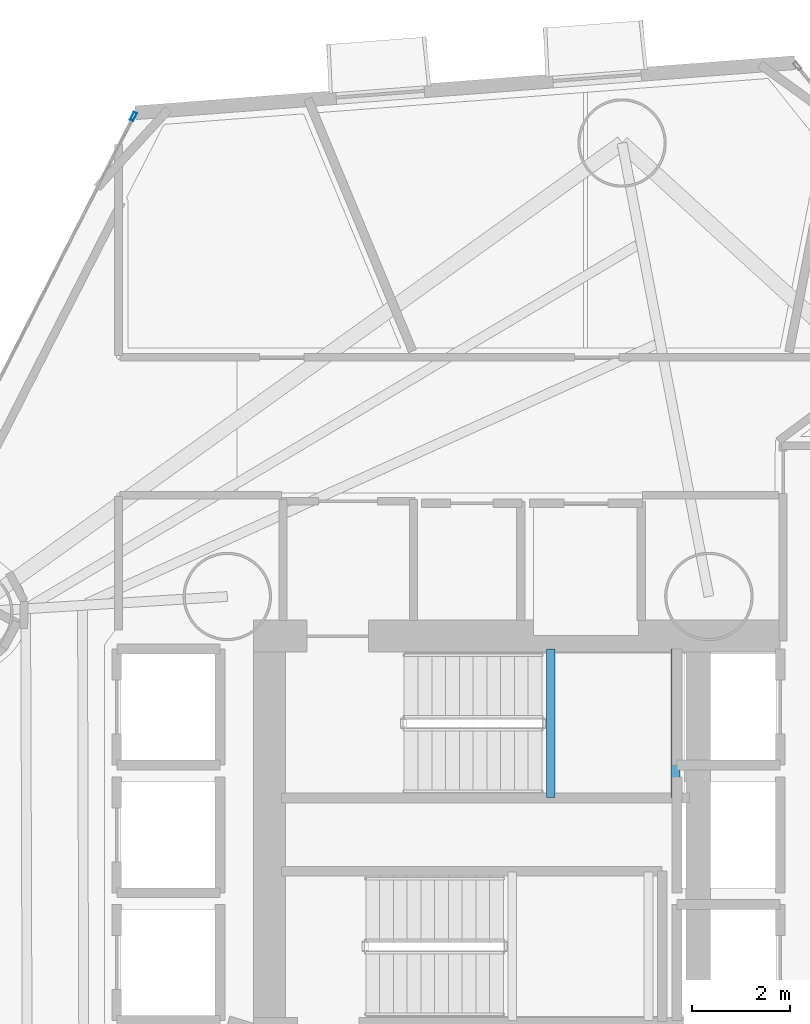
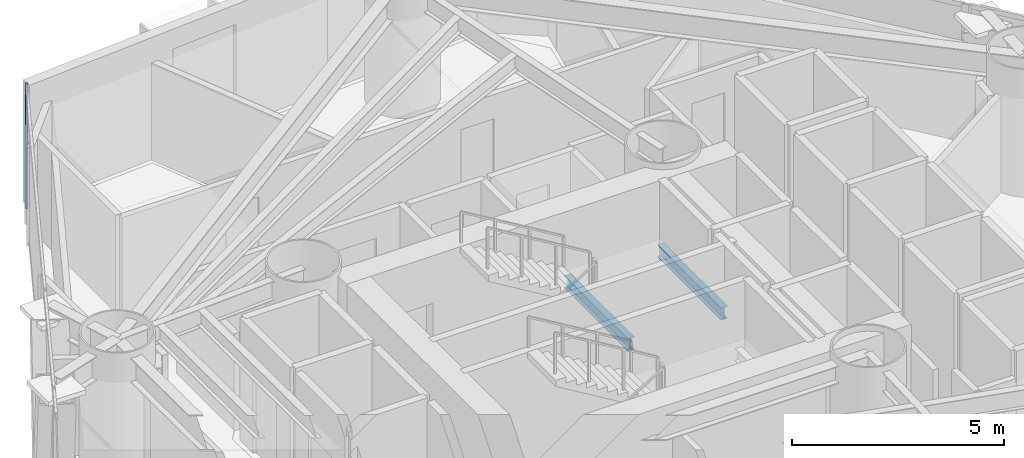
# One storey, part 9 of 23: 2 beams, 1 member, 1 element without a shape of its own.
"""IFC4 building model written with IfcOpenShell, lengths in metres."""

import ifcopenshell
import ifcopenshell.guid

model = None  # the IFC model being written
_history = None  # IfcOwnerHistory: only IFC2X3 demands one
_inside = {}  # id of a spatial element -> (the spatial element, [elements in it])
_under = {}  # id of a project, library or spatial element -> (it, [spatial elements below it])
_declared = {}  # id of a project -> (the project, [libraries it declares])
_typed = {}  # id of a type object -> (the type object, [elements of that type])
_made_of = {}  # id of a material, layer set ... -> (it, [elements and type objects made of it])


def new_model(schema):
    """Start an empty IFC model of exactly this schema.

    Asked for "IFC4X3", IfcOpenShell would pick the latest addendum, in which some entities
    have other attributes; the version numbers below select the first issue.
    IFC2X3 requires an IfcOwnerHistory on every rooted entity: one is made here for all.
    """
    global model, _history
    if schema == "IFC4X3":
        model = ifcopenshell.file(schema_version=(4, 3, 0, 0))
    else:
        model = ifcopenshell.file(schema=schema)
    _inside.clear()
    _under.clear()
    _declared.clear()
    _typed.clear()
    _made_of.clear()
    _history = None
    if model.schema == "IFC2X3":
        org = make("IfcOrganization", Name="unknown")
        user = make(
            "IfcPersonAndOrganization",
            ThePerson=make("IfcPerson", FamilyName="unknown"),
            TheOrganization=org,
        )
        app = make(
            "IfcApplication",
            ApplicationDeveloper=org,
            Version="unknown",
            ApplicationFullName="unknown",
            ApplicationIdentifier="unknown",
        )
        _history = make(
            "IfcOwnerHistory",
            OwningUser=user,
            OwningApplication=app,
            ChangeAction="ADDED",
            CreationDate=0,
        )
    return model


def make(cls, **values):
    """One entity of the class cls with the attributes given. An attribute that is None is left unset."""
    return model.create_entity(
        cls, **{name: value for name, value in values.items() if value is not None}
    )


def rooted(cls, **values):
    """An entity with a GlobalId (a new one), such as an element, a storey or a relation."""
    return make(cls, GlobalId=ifcopenshell.guid.new(), OwnerHistory=_history, **values)


def si_unit(unit_type, name, prefix=None):
    """IfcSIUnit, for example si_unit("LENGTHUNIT", "METRE", prefix="MILLI")."""
    return make("IfcSIUnit", UnitType=unit_type, Prefix=prefix, Name=name)


def assignment(units):
    """IfcUnitAssignment: the units of a project."""
    return None if units is None else make("IfcUnitAssignment", Units=units)


def point(xyz):
    """IfcCartesianPoint."""
    return None if xyz is None else make("IfcCartesianPoint", Coordinates=xyz)


def direction(xyz):
    """IfcDirection."""
    return None if xyz is None else make("IfcDirection", DirectionRatios=xyz)


def frame(location, z_axis=None, x_axis=None):
    """IfcAxis2Placement3D, a coordinate frame: its origin and axes. An axis left out is left unset."""
    return make(
        "IfcAxis2Placement3D",
        Location=point(location),
        Axis=direction(z_axis),
        RefDirection=direction(x_axis),
    )


def frame_2d(location, x_axis=None):
    """IfcAxis2Placement2D, a coordinate frame in the plane: its origin and x axis."""
    return make(
        "IfcAxis2Placement2D", Location=point(location), RefDirection=direction(x_axis)
    )


def origin():
    """The frame at (0, 0, 0) with its axes left unset."""
    return frame((0.0, 0.0, 0.0))


def origin_2d():
    """The frame at (0, 0) in the plane with its x axis left unset."""
    return frame_2d((0.0, 0.0))


def place(relative_to, where):
    """IfcLocalPlacement: puts the frame where relative to a parent placement (None: the world)."""
    return make(
        "IfcLocalPlacement", PlacementRelTo=relative_to, RelativePlacement=where
    )


def context(
    kind, dimensions, precision=None, world=None, true_north=None, identifier=None
):
    """IfcGeometricRepresentationContext, for example the 3D "Model" context."""
    return make(
        "IfcGeometricRepresentationContext",
        ContextIdentifier=identifier,
        ContextType=kind,
        CoordinateSpaceDimension=dimensions,
        Precision=precision,
        WorldCoordinateSystem=world,
        TrueNorth=true_north,
    )


def subcontext(parent, identifier, kind, view, scale=None):
    """IfcGeometricRepresentationSubContext, for example "Body" below "Model"."""
    return make(
        "IfcGeometricRepresentationSubContext",
        ContextIdentifier=identifier,
        ContextType=kind,
        ParentContext=parent,
        TargetScale=scale,
        TargetView=view,
    )


def project(units=None, contexts=None):
    """IfcProject with its units and contexts."""
    return rooted(
        "IfcProject",
        Name="project",
        RepresentationContexts=contexts,
        UnitsInContext=assignment(units),
    )


def spatial(cls, under=None, at=None, **own):
    """A site, building, storey or space (cls), placed at a placement, below another one or the project."""
    s = rooted(cls, ObjectPlacement=at, **own)
    if under is not None:
        _under.setdefault(under.id(), (under, []))[1].append(s)
    return s


def profile(cls, at=None, kind="AREA", **sizes):
    """A parametric profile (cls). Its sizes go by their IFC names, for example OverallWidth=200.0."""
    return make(cls, ProfileType=kind, Position=at, **sizes)


def hollow_rectangle(**sizes):
    """IfcRectangleHollowProfileDef."""
    return profile("IfcRectangleHollowProfileDef", **sizes)


def i_section(**sizes):
    """IfcIShapeProfileDef."""
    return profile("IfcIShapeProfileDef", **sizes)


def extrude(swept, where, along, depth):
    """IfcExtrudedAreaSolid: the profile swept, set in the frame where, extruded along a direction by depth."""
    return make(
        "IfcExtrudedAreaSolid",
        SweptArea=swept,
        Position=where,
        ExtrudedDirection=direction(along),
        Depth=depth,
    )


def shape(context_of_items, identifier, shape_type, items):
    """IfcShapeRepresentation: the items that make up one representation, for example the "Body"."""
    return make(
        "IfcShapeRepresentation",
        ContextOfItems=context_of_items,
        RepresentationIdentifier=identifier,
        RepresentationType=shape_type,
        Items=items,
    )


def material(Name=None, Category=None):
    """IfcMaterial."""
    return make("IfcMaterial", Name=Name, Category=Category)


def layer(
    of_material, thickness, ventilated=None, Name=None, Category=None, Priority=None
):
    """IfcMaterialLayer: one layer of a wall or slab, of a material (None: an air gap)."""
    return make(
        "IfcMaterialLayer",
        Material=of_material,
        LayerThickness=thickness,
        IsVentilated=ventilated,
        Name=Name,
        Category=Category,
        Priority=Priority,
    )


def layer_set(layers, Name=None):
    """IfcMaterialLayerSet."""
    return make("IfcMaterialLayerSet", MaterialLayers=layers, LayerSetName=Name)


def material_profile(
    of_material, cross_section, Name=None, Category=None, Priority=None
):
    """IfcMaterialProfile: a cross section and its material."""
    return make(
        "IfcMaterialProfile",
        Name=Name,
        Material=of_material,
        Profile=cross_section,
        Priority=Priority,
        Category=Category,
    )


def profile_set(profiles, Name=None, composite=None):
    """IfcMaterialProfileSet."""
    return make(
        "IfcMaterialProfileSet",
        Name=Name,
        MaterialProfiles=profiles,
        CompositeProfile=composite,
    )


def made_of(thing, what):
    """Note that an element or type object is made of a material, layer set ...; save() writes the relation."""
    if what is not None:
        _made_of.setdefault(what.id(), (what, []))[1].append(thing)
    return thing


def type_object(cls, material=None, **own):
    """A type object (cls), such as IfcWallType, which elements share."""
    return made_of(rooted(cls, **own), material)


def element(
    cls,
    number,
    at=None,
    inside=None,
    cuts=None,
    type_object=None,
    material=None,
    context=None,
    identifier="Body",
    shape_type=None,
    held_by="IfcProductDefinitionShape",
    body=None,
    shapes=None,
    **own,
):
    """One element of the class cls, such as IfcWall. Its Tag is "e" and its number.

    at: its placement. inside: the storey or other place that contains it. cuts: it is an
    opening in that element (IfcRelVoidsElement). A single representation is given by context,
    identifier, shape_type and body (its items); several are given by shapes. held_by: the class
    of the entity that holds the representations. save() writes the other relations.
    """
    e = rooted(cls, Tag="e%d" % number, ObjectPlacement=at, **own)
    if body is not None:
        shapes = [shape(context, identifier, shape_type, body)]
    if shapes is not None:
        e.Representation = make(held_by, Representations=shapes)
    if inside is not None:
        _inside.setdefault(inside.id(), (inside, []))[1].append(e)
    if cuts is not None:
        rooted(
            "IfcRelVoidsElement", RelatingBuildingElement=cuts, RelatedOpeningElement=e
        )
    if type_object is not None:
        _typed.setdefault(type_object.id(), (type_object, []))[1].append(e)
    return made_of(e, material)


def aggregate(whole, parts):
    """IfcRelAggregates: a whole, such as a stair, and the parts it consists of."""
    return rooted("IfcRelAggregates", RelatingObject=whole, RelatedObjects=parts)


def save(model, path):
    """Write the relations noted so far, then the file.

    IfcRelAggregates (storeys below a building ...), IfcRelContainedInSpatialStructure (elements
    in a storey), IfcRelDefinesByType, IfcRelAssociatesMaterial and IfcRelDeclares: one each for
    every whole, place, type object, material and project.
    """
    for whole, parts in _under.values():
        aggregate(whole, parts)
    for where, things in _inside.values():
        rooted(
            "IfcRelContainedInSpatialStructure",
            RelatedElements=things,
            RelatingStructure=where,
        )
    for kind, things in _typed.values():
        rooted("IfcRelDefinesByType", RelatedObjects=things, RelatingType=kind)
    for what, things in _made_of.values():
        rooted("IfcRelAssociatesMaterial", RelatedObjects=things, RelatingMaterial=what)
    for by, libraries in _declared.values():
        rooted("IfcRelDeclares", RelatingContext=by, RelatedDefinitions=libraries)
    model.write(path)


model = new_model("IFC4")

# Units and contexts
model_context = context("Model", 3, precision=1e-05, world=origin(), true_north=direction((0.0, 1.0)))
body_context = subcontext(model_context, "Body", "Model", "MODEL_VIEW")
ifc_project = project(units=[si_unit("LENGTHUNIT", "METRE"), si_unit("AREAUNIT", "SQUARE_METRE"), si_unit("VOLUMEUNIT", "CUBIC_METRE"), si_unit("PLANEANGLEUNIT", "RADIAN"), si_unit("MASSUNIT", "GRAM", prefix="KILO")], contexts=[model_context])

# Site, building, storey
site_placement = place(None, origin())
site = spatial("IfcSite", under=ifc_project, at=site_placement, CompositionType="ELEMENT")
building_placement = place(site_placement, origin())
building = spatial("IfcBuilding", under=site, at=building_placement, Name="Qianvela Tower", CompositionType="ELEMENT")
storey_placement = place(building_placement, frame((0.0, 0.0, 33.10009765625)))
storey = spatial("IfcBuildingStorey", under=building, at=storey_placement, Name="L07", CompositionType="ELEMENT", Elevation=33.10009765625)

# Beams
ifc_material_1 = material(Name="Steel Q355B", Category="steel")
ifc_material_profile_1 = material_profile(ifc_material_1, i_section(OverallWidth=0.175048828125, OverallDepth=0.35009765625, WebThickness=0.007080078125, FlangeThickness=0.010986328125, at=origin_2d()), Name="HN350x175x7x11")
ifc_profile_set_1 = profile_set([ifc_material_profile_1], Name="Steel Q355B")
beam_type = type_object("IfcBeamType", Name="BM-HN350-JOIST", PredefinedType="JOIST", material=ifc_profile_set_1)
for number, where, z_axis, x_axis, name in (
    (1, (35.179931640625, 29.4599609375, 1.474853515625), (0.0, 1.0, 0.0), (-1.0, 0.0, 0.0), "L07 Stair ST-1 Landing Support Beam 1.1"),
    (2, (37.719970703125, 29.4599609375, 1.474853515625), (0.0, 1.0, 0.0), (-1.0, 0.0, 0.0), "L07 Stair ST-1 Landing Support Beam 1.2"),
):
    element("IfcBeam", number, at=place(storey_placement, frame(where, z_axis=z_axis, x_axis=x_axis)), inside=storey, type_object=beam_type, Name=name, PredefinedType="JOIST", context=body_context, shape_type="SweptSolid", body=[
        extrude(i_section(OverallWidth=0.175048828125, OverallDepth=0.35009765625, WebThickness=0.007080078125, FlangeThickness=0.010986328125, at=origin_2d()), origin(), (0.0, 0.0, 1.0), 3.02001953125),
    ])

# Curtain wall, member
ifc_material_2 = material(Name="Anodised Architectural Aluminium and Low-E Glass", Category="aluminium")
ifc_layer = layer(ifc_material_2, 0.179931640625)
ifc_layer_set = layer_set([ifc_layer], Name="Anodised Architectural Aluminium and Low-E Glass")
curtain_wall_type = type_object("IfcCurtainWallType", Name="CW-COLIV-Z12", PredefinedType="USERDEFINED", material=ifc_layer_set)
curtain_wall_placement = place(storey_placement, origin())
curtain_wall = element("IfcCurtainWall", 3, at=curtain_wall_placement, inside=storey, type_object=curtain_wall_type, Name="L07 CW-COLIV-Z12 Curtain Wall 04A", ObjectType="CURTAIN_WALL_SYSTEM", PredefinedType="USERDEFINED")
ifc_material_3 = material(Name="Anodised Architectural Aluminium 6063-T6", Category="aluminium")
ifc_material_profile_2 = material_profile(ifc_material_3, hollow_rectangle(XDim=0.070068359375, YDim=0.179931640625, WallThickness=0.0048828125, at=origin_2d()), Name="ALU-MULL-70x180")
ifc_profile_set_2 = profile_set([ifc_material_profile_2], Name="Anodised Architectural Aluminium 6063-T6")
member_type = type_object("IfcMemberType", Name="CW-COLIV-Z12-MULL", PredefinedType="MULLION", material=ifc_profile_set_2)
member_placement = place(storey_placement, frame((26.69091796875, 43.317626953125, 0.0), z_axis=(0.0, 0.0, 1.0), x_axis=(0.890687182856, -0.454616698215, 0.0)))
member = element("IfcMember", 4, at=member_placement, type_object=member_type, Name="CW-3 mullion 1", PredefinedType="MULLION", context=body_context, shape_type="SweptSolid", body=[
    extrude(hollow_rectangle(XDim=0.070068359375, YDim=0.179931640625, WallThickness=0.0048828125, at=origin_2d()), origin(), (0.0, 0.0, 1.0), 3.52001953125),
])
aggregate(curtain_wall, [member])

save(model, "model.ifc")
